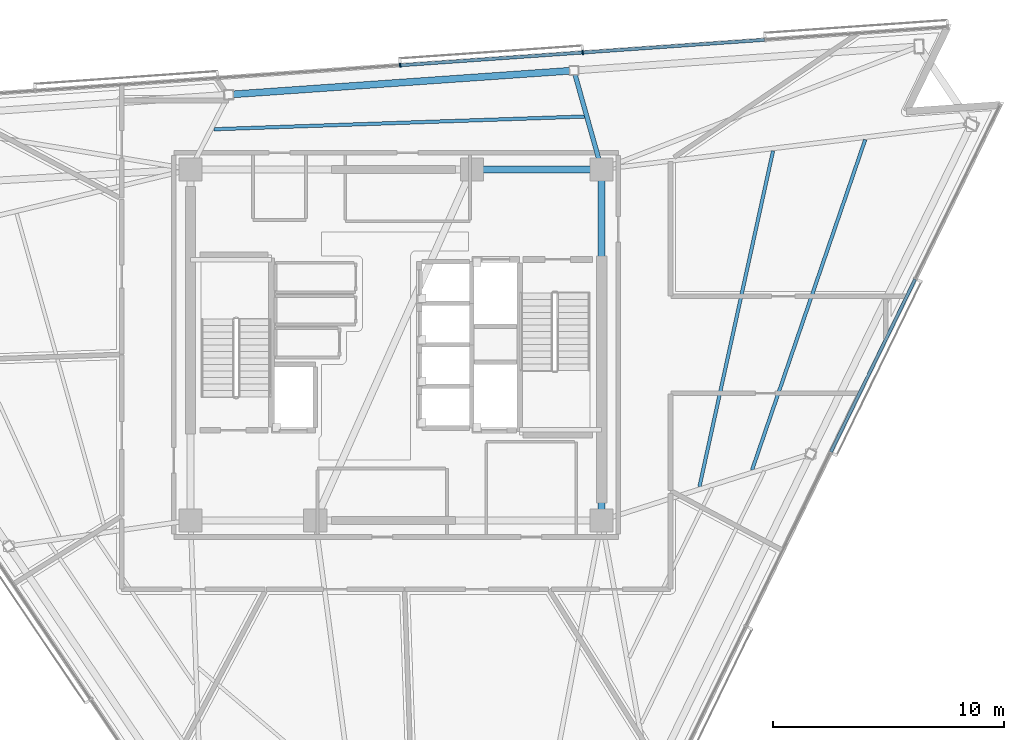
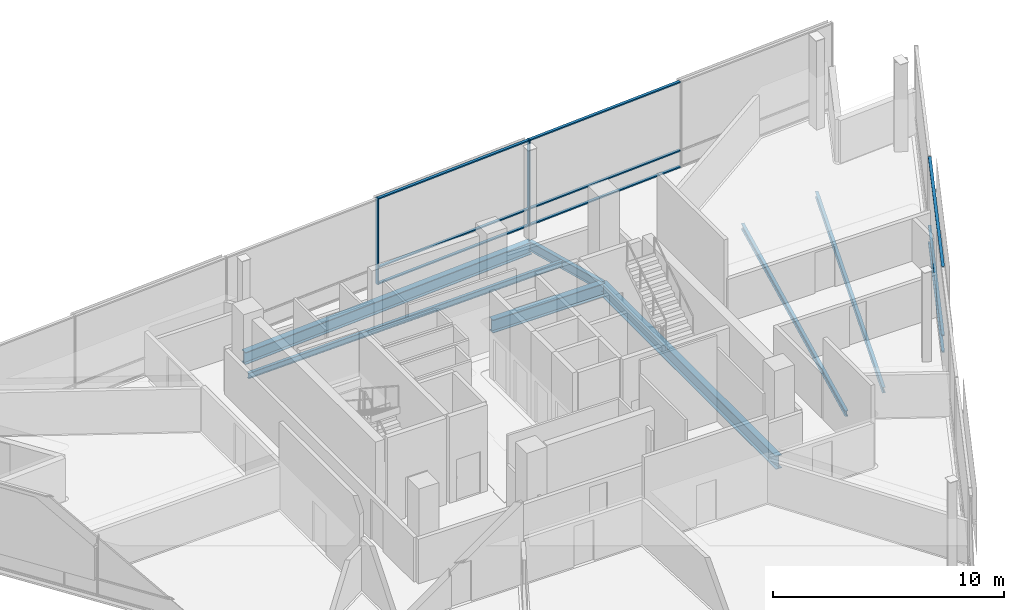
# One storey, part 6 of 16: 11 members, 7 beams, 2 elements without a shape of their own.
"""IFC4 building model written with IfcOpenShell, lengths in metres."""

from ifc_helpers import new_model, si_unit, direction, frame, origin, origin_2d, place, context, subcontext, project, spatial, rectangle, i_section, extrude, material, layer, layer_set, material_profile, profile_set, type_object, element, aggregate, save


model = new_model("IFC4")

# Units and contexts
model_context = context("Model", 3, precision=1e-05, world=origin(), true_north=direction((0.0, 1.0)))
body_context = subcontext(model_context, "Body", "Model", "MODEL_VIEW")
ifc_project = project(units=[si_unit("LENGTHUNIT", "METRE"), si_unit("AREAUNIT", "SQUARE_METRE"), si_unit("VOLUMEUNIT", "CUBIC_METRE"), si_unit("PLANEANGLEUNIT", "RADIAN"), si_unit("MASSUNIT", "GRAM", prefix="KILO")], contexts=[model_context])

# Site, building, storey
site_placement = place(None, origin())
site = spatial("IfcSite", under=ifc_project, at=site_placement, CompositionType="ELEMENT")
building_placement = place(site_placement, origin())
building = spatial("IfcBuilding", under=site, at=building_placement, Name="Tharavind Bronze Gate", CompositionType="ELEMENT")
storey_placement = place(building_placement, frame((0.0, 0.0, 275.0)))
storey = spatial("IfcBuildingStorey", under=building, at=storey_placement, Name="L71", CompositionType="ELEMENT", Elevation=275.0)

# Curtain wall, members
ifc_material_1 = material(Name="Anodised Bronze Aluminium", Category="aluminium")
ifc_layer = layer(ifc_material_1, 0.219970703125)
ifc_layer_set = layer_set([ifc_layer], Name="Anodised Bronze Aluminium")
curtain_wall_type = type_object("IfcCurtainWallType", Name="UNITISED CURTAIN WALL UPPER OFFICE", PredefinedType="USERDEFINED", material=ifc_layer_set)
curtain_wall_1_placement = place(storey_placement, origin())
curtain_wall_1 = element("IfcCurtainWall", 1, at=curtain_wall_1_placement, inside=storey, type_object=curtain_wall_type, Name="L71 unitised curtain wall upper office CW-L71-S3", ObjectType="UNITISED CURTAIN WALL", PredefinedType="USERDEFINED")
member_type_1 = type_object("IfcMemberType", Name="CURTAIN WALL BRONZE MULLION 65X180", PredefinedType="MULLION", material=ifc_material_1)
member_1_placement = place(storey_placement, frame((8.078369140625, 12.656005859375, 0.0), z_axis=(0.0, 0.0, 1.0), x_axis=(-0.997563806758, -0.069759955899, 0.0)))
member_1 = element("IfcMember", 2, at=member_1_placement, type_object=member_type_1, Name="CW-L71-S3 mullion 3", PredefinedType="MULLION", context=body_context, shape_type="SweptSolid", body=[
    extrude(rectangle(XDim=0.06494140625, YDim=0.179931640625, at=origin_2d()), origin(), (0.0, 0.0, 1.0), 4.56005859375),
])
member_2_placement = place(storey_placement, frame((0.177490234375, 12.103515625, 0.0), z_axis=(0.0, 0.0, 1.0), x_axis=(-0.997563806758, -0.069759955899, 0.0)))
member_2 = element("IfcMember", 3, at=member_2_placement, type_object=member_type_1, Name="CW-L71-S3 mullion 4", PredefinedType="MULLION", context=body_context, shape_type="SweptSolid", body=[
    extrude(rectangle(XDim=0.06494140625, YDim=0.179931640625, at=origin_2d()), origin(), (0.0, 0.0, 1.0), 4.56005859375),
])

curtain_wall_2_placement = place(storey_placement, origin())
curtain_wall_2 = element("IfcCurtainWall", 4, at=curtain_wall_2_placement, inside=storey, type_object=curtain_wall_type, Name="L71 unitised curtain wall upper office CW-L71-S2", ObjectType="UNITISED CURTAIN WALL", PredefinedType="USERDEFINED")
member_type_2 = type_object("IfcMemberType", Name="CURTAIN WALL BRONZE TRANSOM 65X140", PredefinedType="USERDEFINED", material=ifc_material_1)
member_3_placement = place(storey_placement, frame((20.64990234375, -0.89892578125, 0.0), z_axis=(0.0, 0.0, 1.0), x_axis=(0.43837271548, 0.898793281196, 0.0)))
member_3 = element("IfcMember", 5, at=member_3_placement, type_object=member_type_2, Name="CW-L71-S2 transom TB5", ObjectType="TRANSOM", PredefinedType="USERDEFINED", context=body_context, shape_type="SweptSolid", body=[
    extrude(rectangle(XDim=8.3193359375, YDim=0.139892578125, at=origin_2d()), origin(), (0.0, 0.0, 1.0), 0.06494140625),
])
member_4_placement = place(storey_placement, frame((20.64990234375, -0.89892578125, 0.867431640625), z_axis=(0.0, 0.0, 1.0), x_axis=(0.43837271548, 0.898793281196, 0.0)))
member_4 = element("IfcMember", 6, at=member_4_placement, type_object=member_type_2, Name="CW-L71-S2 transom TS5", ObjectType="TRANSOM", PredefinedType="USERDEFINED", context=body_context, shape_type="SweptSolid", body=[
    extrude(rectangle(XDim=8.3193359375, YDim=0.139892578125, at=origin_2d()), origin(), (0.0, 0.0, 1.0), 0.06494140625),
])
member_5_placement = place(storey_placement, frame((20.64990234375, -0.89892578125, 4.4951171875), z_axis=(0.0, 0.0, 1.0), x_axis=(0.43837271548, 0.898793281196, 0.0)))
member_5 = element("IfcMember", 7, at=member_5_placement, type_object=member_type_2, Name="CW-L71-S2 transom TT5", ObjectType="TRANSOM", PredefinedType="USERDEFINED", context=body_context, shape_type="SweptSolid", body=[
    extrude(rectangle(XDim=8.3193359375, YDim=0.139892578125, at=origin_2d()), origin(), (0.0, 0.0, 1.0), 0.06494140625),
])
aggregate(curtain_wall_2, [member_3, member_4, member_5])

# Member
member_6_placement = place(storey_placement, frame((12.02880859375, 12.932373046875, 0.0), z_axis=(0.0, 0.0, 1.0), x_axis=(-0.997563806758, -0.069759955899, 0.0)))
member_6 = element("IfcMember", 8, at=member_6_placement, type_object=member_type_2, Name="CW-L71-S3 transom TB2", ObjectType="TRANSOM", PredefinedType="USERDEFINED", context=body_context, shape_type="SweptSolid", body=[
    extrude(rectangle(XDim=7.8671875, YDim=0.139892578125, at=origin_2d()), origin(), (0.0, 0.0, 1.0), 0.06494140625),
])

member_7_placement = place(storey_placement, frame((12.02880859375, 12.932373046875, 0.867431640625), z_axis=(0.0, 0.0, 1.0), x_axis=(-0.997563806758, -0.069759955899, 0.0)))
member_7 = element("IfcMember", 9, at=member_7_placement, type_object=member_type_2, Name="CW-L71-S3 transom TS2", ObjectType="TRANSOM", PredefinedType="USERDEFINED", context=body_context, shape_type="SweptSolid", body=[
    extrude(rectangle(XDim=7.8671875, YDim=0.139892578125, at=origin_2d()), origin(), (0.0, 0.0, 1.0), 0.06494140625),
])

member_8_placement = place(storey_placement, frame((12.02880859375, 12.932373046875, 4.4951171875), z_axis=(0.0, 0.0, 1.0), x_axis=(-0.997563806758, -0.069759955899, 0.0)))
member_8 = element("IfcMember", 10, at=member_8_placement, type_object=member_type_2, Name="CW-L71-S3 transom TT2", ObjectType="TRANSOM", PredefinedType="USERDEFINED", context=body_context, shape_type="SweptSolid", body=[
    extrude(rectangle(XDim=7.8671875, YDim=0.139892578125, at=origin_2d()), origin(), (0.0, 0.0, 1.0), 0.06494140625),
])

member_9_placement = place(storey_placement, frame((4.1279296875, 12.3798828125, 0.0), z_axis=(0.0, 0.0, 1.0), x_axis=(-0.997563806758, -0.069759955899, 0.0)))
member_9 = element("IfcMember", 11, at=member_9_placement, type_object=member_type_2, Name="CW-L71-S3 transom TB3", ObjectType="TRANSOM", PredefinedType="USERDEFINED", context=body_context, shape_type="SweptSolid", body=[
    extrude(rectangle(XDim=7.8671875, YDim=0.139892578125, at=origin_2d()), origin(), (0.0, 0.0, 1.0), 0.06494140625),
])

member_10_placement = place(storey_placement, frame((4.1279296875, 12.3798828125, 0.867431640625), z_axis=(0.0, 0.0, 1.0), x_axis=(-0.997563806758, -0.069759955899, 0.0)))
member_10 = element("IfcMember", 12, at=member_10_placement, type_object=member_type_2, Name="CW-L71-S3 transom TS3", ObjectType="TRANSOM", PredefinedType="USERDEFINED", context=body_context, shape_type="SweptSolid", body=[
    extrude(rectangle(XDim=7.8671875, YDim=0.139892578125, at=origin_2d()), origin(), (0.0, 0.0, 1.0), 0.06494140625),
])

member_11_placement = place(storey_placement, frame((4.1279296875, 12.3798828125, 4.4951171875), z_axis=(0.0, 0.0, 1.0), x_axis=(-0.997563806758, -0.069759955899, 0.0)))
member_11 = element("IfcMember", 13, at=member_11_placement, type_object=member_type_2, Name="CW-L71-S3 transom TT3", ObjectType="TRANSOM", PredefinedType="USERDEFINED", context=body_context, shape_type="SweptSolid", body=[
    extrude(rectangle(XDim=7.8671875, YDim=0.139892578125, at=origin_2d()), origin(), (0.0, 0.0, 1.0), 0.06494140625),
])

aggregate(curtain_wall_1, [member_1, member_2, member_6, member_7, member_8, member_9, member_10, member_11])

# Beams
ifc_material_2 = material(Name="Steel S355", Category="steel")
ifc_material_profile_1 = material_profile(ifc_material_2, i_section(OverallWidth=0.300048828125, OverallDepth=0.64990234375, WebThickness=0.01611328125, FlangeThickness=0.031005859375, at=origin_2d()), Name="HE650B")
ifc_profile_set_1 = profile_set([ifc_material_profile_1], Name="Steel S355")
beam_type_1 = type_object("IfcBeamType", Name="PRIMARY GIRDER HE650B", PredefinedType="USERDEFINED", material=ifc_profile_set_1)
beam_1_placement = place(storey_placement, frame((7.69873046875, 11.877685546875, -0.5048828125), z_axis=(-0.997563609873, -0.069762771286, 0.0), x_axis=(0.069762771286, -0.997563609873, 0.0)))
element("IfcBeam", 14, at=beam_1_placement, inside=storey, type_object=beam_type_1, Name="L71 primary girder he650b BM-L71-PRG10", ObjectType="GIRDER", PredefinedType="USERDEFINED", context=body_context, shape_type="SweptSolid", body=[
    extrude(i_section(OverallWidth=0.300048828125, OverallDepth=0.64990234375, WebThickness=0.01611328125, FlangeThickness=0.031005859375, at=origin_2d()), origin(), (0.0, 0.0, 1.0), 14.974609375),
])
ifc_material_profile_2 = material_profile(ifc_material_2, i_section(OverallWidth=0.199951171875, OverallDepth=0.5, WebThickness=0.01025390625, FlangeThickness=0.01611328125, at=origin_2d()), Name="IPE500")
ifc_profile_set_2 = profile_set([ifc_material_profile_2], Name="Steel S355")
beam_type_2 = type_object("IfcBeamType", Name="PRIMARY GIRDER IPE500", PredefinedType="USERDEFINED", material=ifc_profile_set_2)
beam_2_placement = place(storey_placement, frame((7.69873046875, 11.877685546875, -0.429931640625), z_axis=(0.270349324095, -0.962762298265, 0.0), x_axis=(0.962762298265, 0.270349324095, 0.0)))
element("IfcBeam", 15, at=beam_2_placement, inside=storey, type_object=beam_type_2, Name="L71 primary girder ipe500 BM-L71-RAD10", ObjectType="GIRDER", PredefinedType="USERDEFINED", context=body_context, shape_type="SweptSolid", body=[
    extrude(i_section(OverallWidth=0.199951171875, OverallDepth=0.5, WebThickness=0.01025390625, FlangeThickness=0.01611328125, at=origin_2d()), origin(), (0.0, 0.0, 1.0), 4.443115234375),
])
ifc_material_profile_3 = material_profile(ifc_material_2, i_section(OverallWidth=0.300048828125, OverallDepth=0.699951171875, WebThickness=0.01708984375, FlangeThickness=0.031982421875, at=origin_2d()), Name="HE700B")
ifc_profile_set_3 = profile_set([ifc_material_profile_3], Name="Steel S355")
beam_type_3 = type_object("IfcBeamType", Name="RING GIRDER HE700B", PredefinedType="USERDEFINED", material=ifc_profile_set_3)
beam_3_placement = place(storey_placement, frame((8.89990234375, -7.60009765625, -0.530029296875), z_axis=(0.0, 1.0, 0.0), x_axis=(-1.0, 0.0, 0.0)))
element("IfcBeam", 16, at=beam_3_placement, inside=storey, type_object=beam_type_3, Name="L71 ring girder he700b BM-L71-CR3", ObjectType="GIRDER", PredefinedType="USERDEFINED", context=body_context, shape_type="SweptSolid", body=[
    extrude(i_section(OverallWidth=0.300048828125, OverallDepth=0.699951171875, WebThickness=0.01708984375, FlangeThickness=0.031982421875, at=origin_2d()), origin(), (0.0, 0.0, 1.0), 15.2001953125),
])
beam_4_placement = place(storey_placement, frame((8.89990234375, 7.60009765625, -0.530029296875), z_axis=(-1.0, 0.0, 0.0), x_axis=(0.0, -1.0, 0.0)))
element("IfcBeam", 17, at=beam_4_placement, inside=storey, type_object=beam_type_3, Name="L71 ring girder he700b BM-L71-CR4", ObjectType="GIRDER", PredefinedType="USERDEFINED", context=body_context, shape_type="SweptSolid", body=[
    extrude(i_section(OverallWidth=0.300048828125, OverallDepth=0.699951171875, WebThickness=0.01708984375, FlangeThickness=0.031982421875, at=origin_2d()), origin(), (0.0, 0.0, 1.0), 5.619873046875),
])
ifc_material_profile_4 = material_profile(ifc_material_2, i_section(OverallWidth=0.14990234375, OverallDepth=0.300048828125, WebThickness=0.007080078125, FlangeThickness=0.0107421875, at=origin_2d()), Name="IPE300")
ifc_profile_set_4 = profile_set([ifc_material_profile_4], Name="Steel S355")
beam_type_4 = type_object("IfcBeamType", Name="SECONDARY FLOOR JOIST IPE300", PredefinedType="JOIST", material=ifc_profile_set_4)
beam_5_placement = place(storey_placement, frame((13.13427734375, -6.14501953125, -0.330078125), z_axis=(0.21409442117, 0.976812970237, 0.0), x_axis=(-0.976812970237, 0.21409442117, 0.0)))
element("IfcBeam", 18, at=beam_5_placement, inside=storey, type_object=beam_type_4, Name="L71 secondary floor joist ipe300 BM-L71-JSTA07", PredefinedType="JOIST", context=body_context, shape_type="SweptSolid", body=[
    extrude(i_section(OverallWidth=0.14990234375, OverallDepth=0.300048828125, WebThickness=0.007080078125, FlangeThickness=0.0107421875, at=origin_2d()), origin(), (0.0, 0.0, 1.0), 14.889404296875),
])
beam_6_placement = place(storey_placement, frame((15.4130859375, -5.420654296875, -0.330078125), z_axis=(0.323918937062, 0.946084838803, 0.0), x_axis=(-0.946084838803, 0.323918937062, 0.0)))
element("IfcBeam", 19, at=beam_6_placement, inside=storey, type_object=beam_type_4, Name="L71 secondary floor joist ipe300 BM-L71-JSTB07", PredefinedType="JOIST", context=body_context, shape_type="SweptSolid", body=[
    extrude(i_section(OverallWidth=0.14990234375, OverallDepth=0.300048828125, WebThickness=0.007080078125, FlangeThickness=0.0107421875, at=origin_2d()), origin(), (0.0, 0.0, 1.0), 15.120849609375),
])
beam_7_placement = place(storey_placement, frame((8.150390625, 9.885009765625, -0.330078125), z_axis=(-0.999410182426, -0.034340752228, 0.0), x_axis=(0.034340752228, -0.999410182426, 0.0)))
element("IfcBeam", 20, at=beam_7_placement, inside=storey, type_object=beam_type_4, Name="L71 secondary floor joist ipe300 BM-L71-JSTA10", PredefinedType="JOIST", context=body_context, shape_type="SweptSolid", body=[
    extrude(i_section(OverallWidth=0.14990234375, OverallDepth=0.300048828125, WebThickness=0.007080078125, FlangeThickness=0.0107421875, at=origin_2d()), origin(), (0.0, 0.0, 1.0), 16.052978515625),
])

save(model, "model.ifc")
